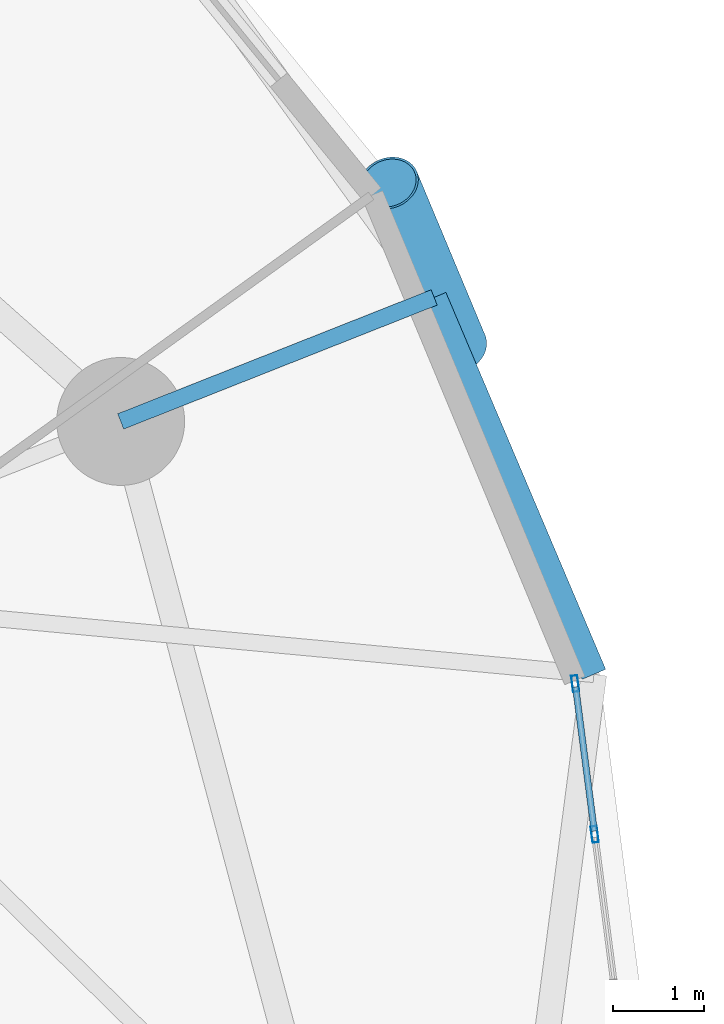
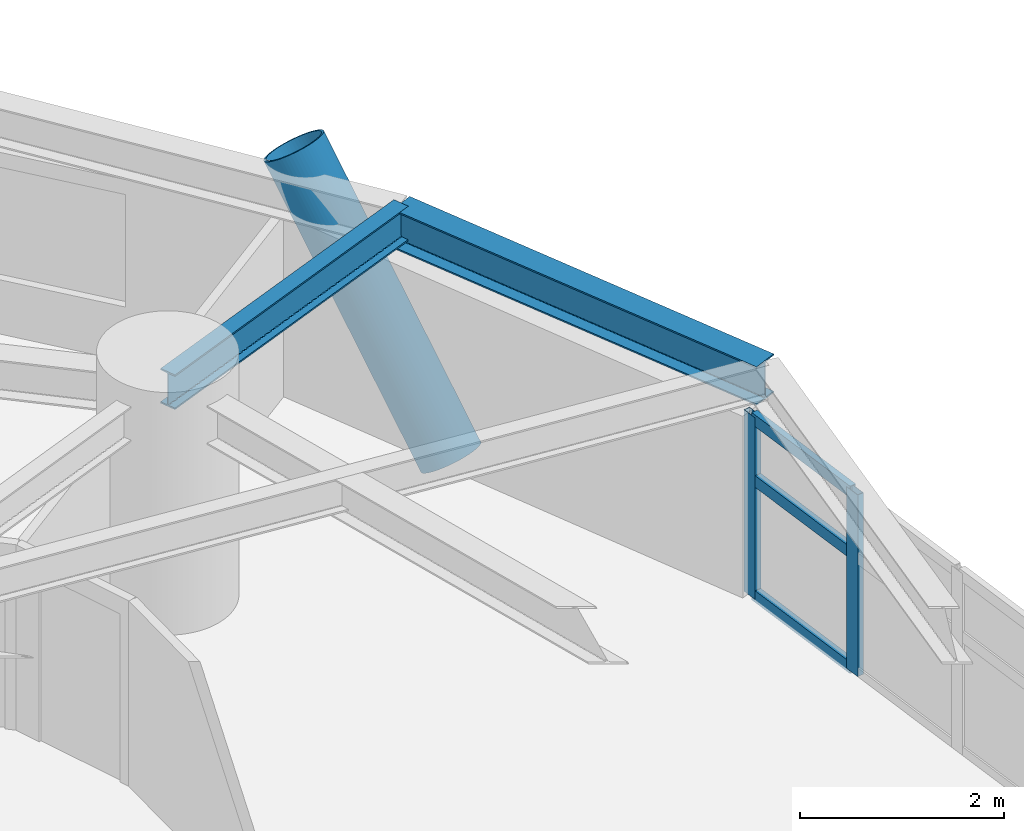
# One storey, part 4 of 16: 6 members, 2 beams, 1 element without a shape of its own.
"""IFC4 building model written with IfcOpenShell, lengths in metres."""

import ifcopenshell
import ifcopenshell.guid

model = None  # the IFC model being written
_history = None  # IfcOwnerHistory: only IFC2X3 demands one
_inside = {}  # id of a spatial element -> (the spatial element, [elements in it])
_under = {}  # id of a project, library or spatial element -> (it, [spatial elements below it])
_declared = {}  # id of a project -> (the project, [libraries it declares])
_typed = {}  # id of a type object -> (the type object, [elements of that type])
_made_of = {}  # id of a material, layer set ... -> (it, [elements and type objects made of it])


def new_model(schema):
    """Start an empty IFC model of exactly this schema.

    Asked for "IFC4X3", IfcOpenShell would pick the latest addendum, in which some entities
    have other attributes; the version numbers below select the first issue.
    IFC2X3 requires an IfcOwnerHistory on every rooted entity: one is made here for all.
    """
    global model, _history
    if schema == "IFC4X3":
        model = ifcopenshell.file(schema_version=(4, 3, 0, 0))
    else:
        model = ifcopenshell.file(schema=schema)
    _inside.clear()
    _under.clear()
    _declared.clear()
    _typed.clear()
    _made_of.clear()
    _history = None
    if model.schema == "IFC2X3":
        org = make("IfcOrganization", Name="unknown")
        user = make(
            "IfcPersonAndOrganization",
            ThePerson=make("IfcPerson", FamilyName="unknown"),
            TheOrganization=org,
        )
        app = make(
            "IfcApplication",
            ApplicationDeveloper=org,
            Version="unknown",
            ApplicationFullName="unknown",
            ApplicationIdentifier="unknown",
        )
        _history = make(
            "IfcOwnerHistory",
            OwningUser=user,
            OwningApplication=app,
            ChangeAction="ADDED",
            CreationDate=0,
        )
    return model


def make(cls, **values):
    """One entity of the class cls with the attributes given. An attribute that is None is left unset."""
    return model.create_entity(
        cls, **{name: value for name, value in values.items() if value is not None}
    )


def rooted(cls, **values):
    """An entity with a GlobalId (a new one), such as an element, a storey or a relation."""
    return make(cls, GlobalId=ifcopenshell.guid.new(), OwnerHistory=_history, **values)


def si_unit(unit_type, name, prefix=None):
    """IfcSIUnit, for example si_unit("LENGTHUNIT", "METRE", prefix="MILLI")."""
    return make("IfcSIUnit", UnitType=unit_type, Prefix=prefix, Name=name)


def assignment(units):
    """IfcUnitAssignment: the units of a project."""
    return None if units is None else make("IfcUnitAssignment", Units=units)


def point(xyz):
    """IfcCartesianPoint."""
    return None if xyz is None else make("IfcCartesianPoint", Coordinates=xyz)


def direction(xyz):
    """IfcDirection."""
    return None if xyz is None else make("IfcDirection", DirectionRatios=xyz)


def frame(location, z_axis=None, x_axis=None):
    """IfcAxis2Placement3D, a coordinate frame: its origin and axes. An axis left out is left unset."""
    return make(
        "IfcAxis2Placement3D",
        Location=point(location),
        Axis=direction(z_axis),
        RefDirection=direction(x_axis),
    )


def frame_2d(location, x_axis=None):
    """IfcAxis2Placement2D, a coordinate frame in the plane: its origin and x axis."""
    return make(
        "IfcAxis2Placement2D", Location=point(location), RefDirection=direction(x_axis)
    )


def origin():
    """The frame at (0, 0, 0) with its axes left unset."""
    return frame((0.0, 0.0, 0.0))


def origin_2d():
    """The frame at (0, 0) in the plane with its x axis left unset."""
    return frame_2d((0.0, 0.0))


def place(relative_to, where):
    """IfcLocalPlacement: puts the frame where relative to a parent placement (None: the world)."""
    return make(
        "IfcLocalPlacement", PlacementRelTo=relative_to, RelativePlacement=where
    )


def context(
    kind, dimensions, precision=None, world=None, true_north=None, identifier=None
):
    """IfcGeometricRepresentationContext, for example the 3D "Model" context."""
    return make(
        "IfcGeometricRepresentationContext",
        ContextIdentifier=identifier,
        ContextType=kind,
        CoordinateSpaceDimension=dimensions,
        Precision=precision,
        WorldCoordinateSystem=world,
        TrueNorth=true_north,
    )


def subcontext(parent, identifier, kind, view, scale=None):
    """IfcGeometricRepresentationSubContext, for example "Body" below "Model"."""
    return make(
        "IfcGeometricRepresentationSubContext",
        ContextIdentifier=identifier,
        ContextType=kind,
        ParentContext=parent,
        TargetScale=scale,
        TargetView=view,
    )


def project(units=None, contexts=None):
    """IfcProject with its units and contexts."""
    return rooted(
        "IfcProject",
        Name="project",
        RepresentationContexts=contexts,
        UnitsInContext=assignment(units),
    )


def spatial(cls, under=None, at=None, **own):
    """A site, building, storey or space (cls), placed at a placement, below another one or the project."""
    s = rooted(cls, ObjectPlacement=at, **own)
    if under is not None:
        _under.setdefault(under.id(), (under, []))[1].append(s)
    return s


def profile(cls, at=None, kind="AREA", **sizes):
    """A parametric profile (cls). Its sizes go by their IFC names, for example OverallWidth=200.0."""
    return make(cls, ProfileType=kind, Position=at, **sizes)


def hollow_rectangle(**sizes):
    """IfcRectangleHollowProfileDef."""
    return profile("IfcRectangleHollowProfileDef", **sizes)


def hollow_circle(**sizes):
    """IfcCircleHollowProfileDef."""
    return profile("IfcCircleHollowProfileDef", **sizes)


def i_section(**sizes):
    """IfcIShapeProfileDef."""
    return profile("IfcIShapeProfileDef", **sizes)


def extrude(swept, where, along, depth):
    """IfcExtrudedAreaSolid: the profile swept, set in the frame where, extruded along a direction by depth."""
    return make(
        "IfcExtrudedAreaSolid",
        SweptArea=swept,
        Position=where,
        ExtrudedDirection=direction(along),
        Depth=depth,
    )


def shape(context_of_items, identifier, shape_type, items):
    """IfcShapeRepresentation: the items that make up one representation, for example the "Body"."""
    return make(
        "IfcShapeRepresentation",
        ContextOfItems=context_of_items,
        RepresentationIdentifier=identifier,
        RepresentationType=shape_type,
        Items=items,
    )


def material(Name=None, Category=None):
    """IfcMaterial."""
    return make("IfcMaterial", Name=Name, Category=Category)


def layer(
    of_material, thickness, ventilated=None, Name=None, Category=None, Priority=None
):
    """IfcMaterialLayer: one layer of a wall or slab, of a material (None: an air gap)."""
    return make(
        "IfcMaterialLayer",
        Material=of_material,
        LayerThickness=thickness,
        IsVentilated=ventilated,
        Name=Name,
        Category=Category,
        Priority=Priority,
    )


def layer_set(layers, Name=None):
    """IfcMaterialLayerSet."""
    return make("IfcMaterialLayerSet", MaterialLayers=layers, LayerSetName=Name)


def material_profile(
    of_material, cross_section, Name=None, Category=None, Priority=None
):
    """IfcMaterialProfile: a cross section and its material."""
    return make(
        "IfcMaterialProfile",
        Name=Name,
        Material=of_material,
        Profile=cross_section,
        Priority=Priority,
        Category=Category,
    )


def profile_set(profiles, Name=None, composite=None):
    """IfcMaterialProfileSet."""
    return make(
        "IfcMaterialProfileSet",
        Name=Name,
        MaterialProfiles=profiles,
        CompositeProfile=composite,
    )


def made_of(thing, what):
    """Note that an element or type object is made of a material, layer set ...; save() writes the relation."""
    if what is not None:
        _made_of.setdefault(what.id(), (what, []))[1].append(thing)
    return thing


def type_object(cls, material=None, **own):
    """A type object (cls), such as IfcWallType, which elements share."""
    return made_of(rooted(cls, **own), material)


def element(
    cls,
    number,
    at=None,
    inside=None,
    cuts=None,
    type_object=None,
    material=None,
    context=None,
    identifier="Body",
    shape_type=None,
    held_by="IfcProductDefinitionShape",
    body=None,
    shapes=None,
    **own,
):
    """One element of the class cls, such as IfcWall. Its Tag is "e" and its number.

    at: its placement. inside: the storey or other place that contains it. cuts: it is an
    opening in that element (IfcRelVoidsElement). A single representation is given by context,
    identifier, shape_type and body (its items); several are given by shapes. held_by: the class
    of the entity that holds the representations. save() writes the other relations.
    """
    e = rooted(cls, Tag="e%d" % number, ObjectPlacement=at, **own)
    if body is not None:
        shapes = [shape(context, identifier, shape_type, body)]
    if shapes is not None:
        e.Representation = make(held_by, Representations=shapes)
    if inside is not None:
        _inside.setdefault(inside.id(), (inside, []))[1].append(e)
    if cuts is not None:
        rooted(
            "IfcRelVoidsElement", RelatingBuildingElement=cuts, RelatedOpeningElement=e
        )
    if type_object is not None:
        _typed.setdefault(type_object.id(), (type_object, []))[1].append(e)
    return made_of(e, material)


def aggregate(whole, parts):
    """IfcRelAggregates: a whole, such as a stair, and the parts it consists of."""
    return rooted("IfcRelAggregates", RelatingObject=whole, RelatedObjects=parts)


def save(model, path):
    """Write the relations noted so far, then the file.

    IfcRelAggregates (storeys below a building ...), IfcRelContainedInSpatialStructure (elements
    in a storey), IfcRelDefinesByType, IfcRelAssociatesMaterial and IfcRelDeclares: one each for
    every whole, place, type object, material and project.
    """
    for whole, parts in _under.values():
        aggregate(whole, parts)
    for where, things in _inside.values():
        rooted(
            "IfcRelContainedInSpatialStructure",
            RelatedElements=things,
            RelatingStructure=where,
        )
    for kind, things in _typed.values():
        rooted("IfcRelDefinesByType", RelatedObjects=things, RelatingType=kind)
    for what, things in _made_of.values():
        rooted("IfcRelAssociatesMaterial", RelatedObjects=things, RelatingMaterial=what)
    for by, libraries in _declared.values():
        rooted("IfcRelDeclares", RelatingContext=by, RelatedDefinitions=libraries)
    model.write(path)


model = new_model("IFC4")

# Units and contexts
model_context = context("Model", 3, precision=1e-05, world=origin(), true_north=direction((0.0, 1.0)))
body_context = subcontext(model_context, "Body", "Model", "MODEL_VIEW")
ifc_project = project(units=[si_unit("LENGTHUNIT", "METRE"), si_unit("AREAUNIT", "SQUARE_METRE"), si_unit("VOLUMEUNIT", "CUBIC_METRE"), si_unit("PLANEANGLEUNIT", "RADIAN"), si_unit("MASSUNIT", "GRAM", prefix="KILO")], contexts=[model_context])

# Site, building, storey
site_placement = place(None, origin())
site = spatial("IfcSite", under=ifc_project, at=site_placement, CompositionType="ELEMENT")
building_placement = place(site_placement, origin())
building = spatial("IfcBuilding", under=site, at=building_placement, Name="Cununo Teusaquillo Station Towers", CompositionType="ELEMENT")
storey_placement = place(building_placement, frame((0.0, 0.0, 99.25)))
storey = spatial("IfcBuildingStorey", under=building, at=storey_placement, Name="L31", CompositionType="ELEMENT", Elevation=99.25)

# Beams
ifc_material_1 = material(Name="Steel ASTM A572 Grade 50", Category="steel")
ifc_material_profile_1 = material_profile(ifc_material_1, i_section(OverallWidth=0.180908203125, OverallDepth=0.4169921875, WebThickness=0.010986328125, FlangeThickness=0.018310546875, FilletRadius=0.012939453125, at=origin_2d()), Name="W16X57")
ifc_profile_set_1 = profile_set([ifc_material_profile_1], Name="Steel ASTM A572 Grade 50")
beam_type_1 = type_object("IfcBeamType", Name="BM-RAD-G2", PredefinedType="BEAM", material=ifc_profile_set_1)
beam_1_placement = place(storey_placement, frame((26.347412109375, 33.228515625, 2.46142578125), z_axis=(0.929861788731, 0.367909029323, 0.0), x_axis=(-0.367909029323, 0.929861788731, 0.0)))
element("IfcBeam", 1, at=beam_1_placement, inside=storey, type_object=beam_type_1, Name="L31 Tower A Perimeter Overhang Girder 02B", PredefinedType="BEAM", context=body_context, shape_type="SweptSolid", body=[
    extrude(i_section(OverallWidth=0.180908203125, OverallDepth=0.4169921875, WebThickness=0.010986328125, FlangeThickness=0.018310546875, FilletRadius=0.012939453125, at=origin_2d()), origin(), (0.0, 0.0, 1.0), 3.690185546875),
])
ifc_material_2 = material(Name="Steel ASTM A572 Grade 50", Category="steel")
ifc_material_profile_2 = material_profile(ifc_material_2, i_section(OverallWidth=0.280029296875, OverallDepth=0.462890625, WebThickness=0.0107421875, FlangeThickness=0.017333984375, FilletRadius=0.013916015625, at=origin_2d()), Name="W18X76")
ifc_profile_set_2 = profile_set([ifc_material_profile_2], Name="Steel ASTM A572 Grade 50")
beam_type_2 = type_object("IfcBeamType", Name="BM-RING-Z2", PredefinedType="SPANDREL", material=ifc_profile_set_2)
beam_2_placement = place(storey_placement, frame((31.527587890625, 30.4609375, 2.4384765625), z_axis=(-0.390299356049, 0.920688010494, 0.0), x_axis=(-0.920688010494, -0.390299356049, 0.0)))
element("IfcBeam", 2, at=beam_2_placement, inside=storey, type_object=beam_type_2, Name="L31 Tower A Spandrel Ring Beam 02", PredefinedType="SPANDREL", context=body_context, shape_type="SweptSolid", body=[
    extrude(i_section(OverallWidth=0.280029296875, OverallDepth=0.462890625, WebThickness=0.0107421875, FlangeThickness=0.017333984375, FilletRadius=0.013916015625, at=origin_2d()), origin(), (0.0, 0.0, 1.0), 4.480712890625),
])

# Curtain wall, members
ifc_material_3 = material(Name="Ceramic-fritted dark low-E double glazing", Category="glass")
ifc_layer = layer(ifc_material_3, 0.179931640625)
ifc_layer_set = layer_set([ifc_layer], Name="Ceramic-fritted dark low-E double glazing")
curtain_wall_type = type_object("IfcCurtainWallType", Name="CW-SYS-04", PredefinedType="USERDEFINED", material=ifc_layer_set)
curtain_wall_placement = place(storey_placement, origin())
curtain_wall = element("IfcCurtainWall", 3, at=curtain_wall_placement, inside=storey, type_object=curtain_wall_type, Name="L31 Tower A Facade Curtain Wall C00", ObjectType="FRITTED GLAZING", PredefinedType="USERDEFINED")
ifc_material_4 = material(Name="Anodised dark bronze aluminium EN AW-6063-T6", Category="aluminium")
ifc_material_profile_3 = material_profile(ifc_material_4, hollow_rectangle(XDim=0.070068359375, YDim=0.179931640625, WallThickness=0.00390625, at=origin_2d()), Name="CW-MULL-70x180")
ifc_profile_set_3 = profile_set([ifc_material_profile_3], Name="Anodised dark bronze aluminium EN AW-6063-T6")
member_type_1 = type_object("IfcMemberType", Name="CWM-180", PredefinedType="MULLION", material=ifc_profile_set_3)
member_1_placement = place(storey_placement, frame((31.322998046875, 30.3583984375, 0.0), z_axis=(0.0, 0.0, 1.0), x_axis=(0.991730764367, 0.128335852387, 0.0)))
member_1 = element("IfcMember", 4, at=member_1_placement, type_object=member_type_1, Name="CW-04 mullion 1", PredefinedType="MULLION", context=body_context, shape_type="SweptSolid", body=[
    extrude(hollow_rectangle(XDim=0.070068359375, YDim=0.179931640625, WallThickness=0.00390625, at=origin_2d()), origin(), (0.0, 0.0, 1.0), 2.178955078125),
])
member_2_placement = place(storey_placement, frame((31.5361328125, 28.709716796875, 0.0), z_axis=(0.0, 0.0, 1.0), x_axis=(0.991730764367, 0.128335852387, 0.0)))
member_2 = element("IfcMember", 5, at=member_2_placement, type_object=member_type_1, Name="CW-04 mullion 2", PredefinedType="MULLION", context=body_context, shape_type="SweptSolid", body=[
    extrude(hollow_rectangle(XDim=0.070068359375, YDim=0.179931640625, WallThickness=0.00390625, at=origin_2d()), origin(), (0.0, 0.0, 1.0), 2.178955078125),
])
ifc_material_5 = material(Name="Anodised dark bronze aluminium EN AW-6063-T6", Category="aluminium")
ifc_material_profile_4 = material_profile(ifc_material_5, hollow_rectangle(XDim=0.070068359375, YDim=0.139892578125, WallThickness=0.00390625, at=origin_2d()), Name="CW-TRAN-70x140")
ifc_profile_set_4 = profile_set([ifc_material_profile_4], Name="Anodised dark bronze aluminium EN AW-6063-T6")
member_type_2 = type_object("IfcMemberType", Name="CWT-140", PredefinedType="USERDEFINED", material=ifc_profile_set_4)
member_3_placement = place(storey_placement, frame((31.327392578125, 30.323486328125, 0.034912109375), z_axis=(0.128336210724, -0.991730717996, 0.0), x_axis=(0.991730717996, 0.128336210724, 0.0)))
member_3 = element("IfcMember", 6, at=member_3_placement, type_object=member_type_2, Name="CW-04 transom 1.1", ObjectType="TRANSOM", PredefinedType="USERDEFINED", context=body_context, shape_type="SweptSolid", body=[
    extrude(hollow_rectangle(XDim=0.070068359375, YDim=0.139892578125, WallThickness=0.00390625, at=origin_2d()), origin(), (0.0, 0.0, 1.0), 1.59228515625),
])
member_4_placement = place(storey_placement, frame((31.327392578125, 30.323486328125, 1.416015625), z_axis=(0.128336210724, -0.991730717996, 0.0), x_axis=(0.991730717996, 0.128336210724, 0.0)))
member_4 = element("IfcMember", 7, at=member_4_placement, type_object=member_type_2, Name="CW-04 transom 1.2", ObjectType="TRANSOM", PredefinedType="USERDEFINED", context=body_context, shape_type="SweptSolid", body=[
    extrude(hollow_rectangle(XDim=0.070068359375, YDim=0.139892578125, WallThickness=0.00390625, at=origin_2d()), origin(), (0.0, 0.0, 1.0), 1.59228515625),
])
member_5_placement = place(storey_placement, frame((31.327392578125, 30.323486328125, 2.14404296875), z_axis=(0.128336210724, -0.991730717996, 0.0), x_axis=(0.991730717996, 0.128336210724, 0.0)))
member_5 = element("IfcMember", 8, at=member_5_placement, type_object=member_type_2, Name="CW-04 transom 1.3", ObjectType="TRANSOM", PredefinedType="USERDEFINED", context=body_context, shape_type="SweptSolid", body=[
    extrude(hollow_rectangle(XDim=0.070068359375, YDim=0.139892578125, WallThickness=0.00390625, at=origin_2d()), origin(), (0.0, 0.0, 1.0), 1.59228515625),
])
aggregate(curtain_wall, [member_1, member_2, member_3, member_4, member_5])

# Member
ifc_material_6 = material(Name="Steel EN 10025-2 S355J2", Category="steel")
ifc_material_profile_5 = material_profile(ifc_material_6, hollow_circle(Radius=0.330078125, WallThickness=0.02490234375, at=origin_2d()), Name="CHS 660x25")
ifc_profile_set_5 = profile_set([ifc_material_profile_5], Name="Steel EN 10025-2 S355J2")
member_type_3 = type_object("IfcMemberType", Name="MBR-DIAG-Z2", PredefinedType="BRACE", material=ifc_profile_set_5)
member_6_placement = place(storey_placement, frame((30.031494140625, 34.0458984375, -0.139892578125), z_axis=(-0.213880258627, 0.512335679883, 0.831725547334), x_axis=(-0.922816406816, -0.385240028179, 0.0)))
element("IfcMember", 9, at=member_6_placement, inside=storey, type_object=member_type_3, Name="L31 Tower A Folded-Zigzag Diagrid Tube C01", PredefinedType="BRACE", context=body_context, shape_type="SweptSolid", body=[
    extrude(hollow_circle(Radius=0.330078125, WallThickness=0.02490234375, at=origin_2d()), origin(), (0.0, 0.0, 1.0), 3.49853515625),
])

save(model, "model.ifc")
